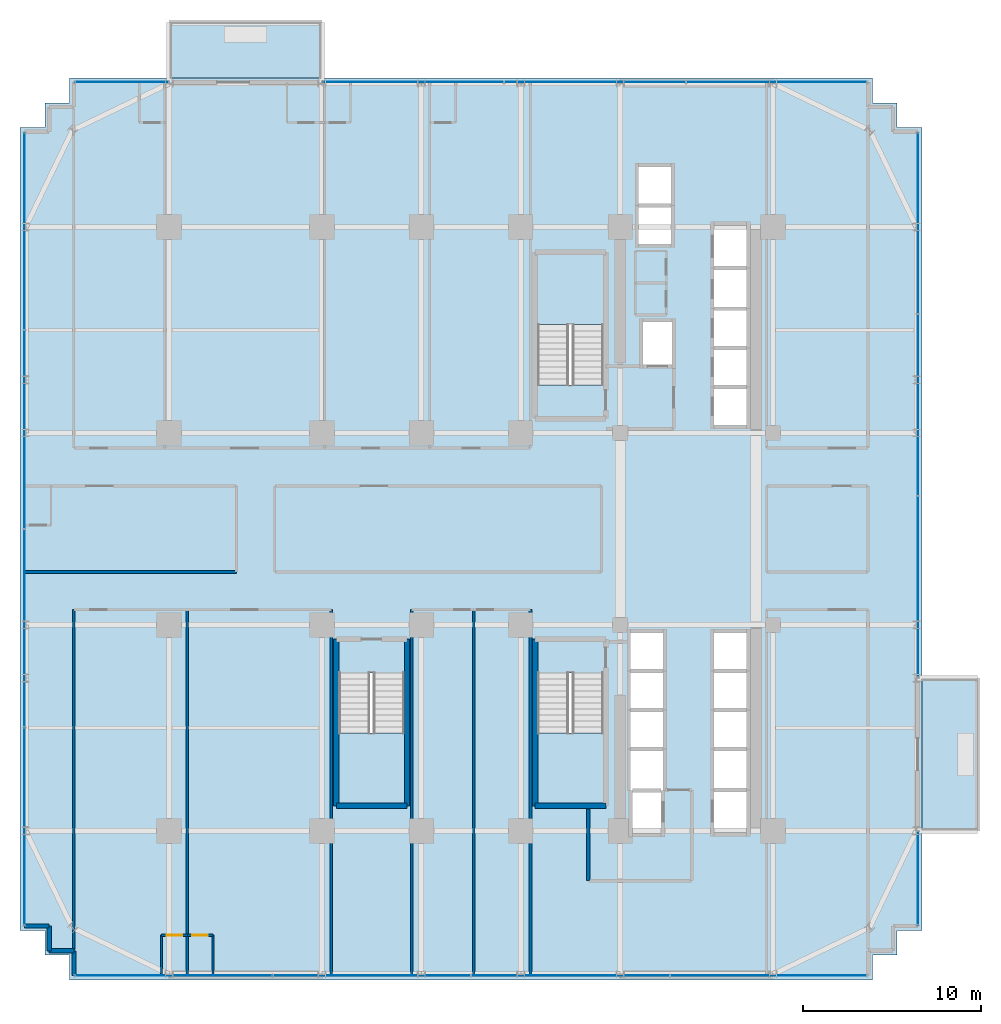
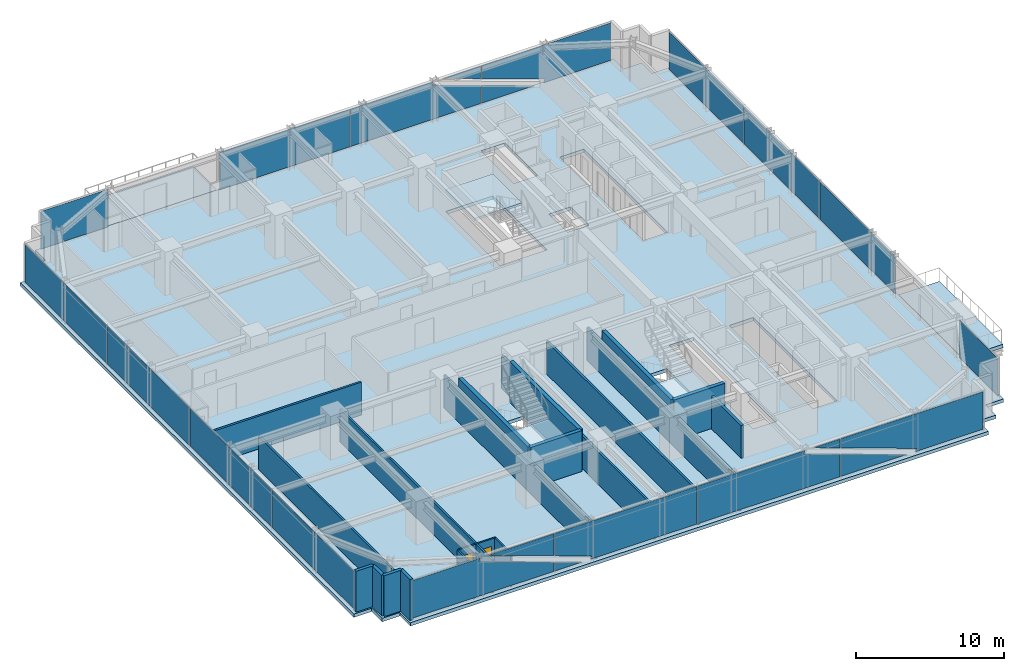
# One storey, part 28 of 35: 21 walls, 16 plates, 6 slabs, 2 doors, 2 openings, 9 elements without a shape of their own.
"""IFC4 building model written with IfcOpenShell, lengths in metres."""

from ifc_helpers import new_model, si_unit, direction, frame, frame_2d, origin, origin_2d, place, context, subcontext, project, spatial, polyline, rectangle, outline, extrude, source, transform, mapped, material, layer, layer_set, type_object, element, fill, aggregate, save


model = new_model("IFC4")

# Units and contexts
model_context = context("Model", 3, precision=1e-05, world=origin(), true_north=direction((0.0, 1.0)))
body_context = subcontext(model_context, "Body", "Model", "MODEL_VIEW")
ifc_project = project(units=[si_unit("LENGTHUNIT", "METRE"), si_unit("AREAUNIT", "SQUARE_METRE"), si_unit("VOLUMEUNIT", "CUBIC_METRE"), si_unit("PLANEANGLEUNIT", "RADIAN"), si_unit("MASSUNIT", "GRAM", prefix="KILO")], contexts=[model_context])

# Site, building, storey
site_placement = place(None, origin())
site = spatial("IfcSite", under=ifc_project, at=site_placement, CompositionType="ELEMENT")
building_placement = place(site_placement, origin())
building = spatial("IfcBuilding", under=site, at=building_placement, Name="Nahalor Promenade Grand Hotel", CompositionType="ELEMENT")
storey_placement = place(building_placement, frame((0.0, 0.0, 39.699951171875)))
storey = spatial("IfcBuildingStorey", under=building, at=storey_placement, Name="L08", CompositionType="ELEMENT", Elevation=39.699951171875)

# Curtain wall, plates
ifc_material_1 = material(Name="Anodised Bronze Aluminium EN AW-6063 T6", Category="aluminium")
curtain_wall_type = type_object("IfcCurtainWallType", Name="CW2 Typical Hotel Flush Bronze Unitised Curtain Wall", PredefinedType="USERDEFINED", material=ifc_material_1)
curtain_wall_1_placement = place(storey_placement, origin())
curtain_wall_1 = element("IfcCurtainWall", 1, at=curtain_wall_1_placement, inside=storey, type_object=curtain_wall_type, Name="L08 Curtain Wall CW-L08-S-1", ObjectType="UNITISED_CURTAIN_WALL", PredefinedType="USERDEFINED")
ifc_material_2 = material(Name="Low-E Laminated Solar Glass", Category="glass")
ifc_layer_1 = layer(ifc_material_2, 0.028076171875)
ifc_layer_set_1 = layer_set([ifc_layer_1], Name="Low-E Laminated Solar Glass")
plate_type = type_object("IfcPlateType", Name="CWP2 Bronze Low-E Vision IGU 28mm", PredefinedType="CURTAIN_PANEL", material=ifc_layer_set_1)
plate_1_placement = place(storey_placement, frame((-16.753662109375, -25.159912109375, 0.1298828125), z_axis=(0.0, 0.0, 1.0), x_axis=(1.0, 0.0, 0.0)))
plate_1 = element("IfcPlate", 2, at=plate_1_placement, type_object=plate_type, Name="CW-L08-S-1 Glazing Panel 0-0", PredefinedType="CURTAIN_PANEL", context=body_context, shape_type="SweptSolid", body=[
    extrude(outline(polyline([(-5.541259765625, 0.0), (5.541259765625, 0.0), (5.541259765625, 0.758544921875), (-0.353759765625, 2.863037109375), (-0.265625, 3.110107421875), (-5.541259765625, 3.110107421875), (-5.541259765625, 0.0)])), frame((0.0, 0.01416015625, 0.0), z_axis=(0.0, -1.0, 0.0), x_axis=(1.0, 0.0, 0.0)), (0.0, 0.0, 1.0), 0.028076171875),
    extrude(outline(polyline([(5.541259765625, 1.28955078125), (5.541259765625, 3.110107421875), (0.44140625, 3.110107421875), (5.541259765625, 1.28955078125)])), frame((0.0, 0.01416015625, 0.0), z_axis=(0.0, -1.0, 0.0), x_axis=(1.0, 0.0, 0.0)), (0.0, 0.0, 1.0), 0.028076171875),
])
plate_2_placement = place(storey_placement, frame((-5.590087890625, -25.159912109375, 0.1298828125), z_axis=(0.0, 0.0, 1.0), x_axis=(1.0, 0.0, 0.0)))
plate_2 = element("IfcPlate", 3, at=plate_2_placement, type_object=plate_type, Name="CW-L08-S-1 Glazing Panel 1-0", PredefinedType="CURTAIN_PANEL", context=body_context, shape_type="SweptSolid", body=[
    extrude(outline(polyline([(5.5576171875, 3.110107421875), (-5.5576171875, 3.110107421875), (-5.5576171875, 1.266357421875), (-2.702392578125, 0.2470703125), (-2.79052734375, 0.0), (5.5576171875, 0.0), (5.5576171875, 3.110107421875)])), frame((0.0, 0.01416015625, 0.0), z_axis=(0.0, -1.0, 0.0), x_axis=(1.0, 0.0, 0.0)), (0.0, 0.0, 1.0), 0.028076171875),
    extrude(outline(polyline([(-5.5576171875, 0.7353515625), (-5.5576171875, 0.0), (-3.49755859375, 0.0), (-5.5576171875, 0.7353515625)])), frame((0.0, 0.01416015625, 0.0), z_axis=(0.0, -1.0, 0.0), x_axis=(1.0, 0.0, 0.0)), (0.0, 0.0, 1.0), 0.028076171875),
])
plate_3_placement = place(storey_placement, frame((5.590087890625, -25.159912109375, 0.1298828125), z_axis=(0.0, 0.0, 1.0), x_axis=(1.0, 0.0, 0.0)))
plate_3 = element("IfcPlate", 4, at=plate_3_placement, type_object=plate_type, Name="CW-L08-S-1 Glazing Panel 2-0", PredefinedType="CURTAIN_PANEL", context=body_context, shape_type="SweptSolid", body=[
    extrude(outline(polyline([(-5.5576171875, 0.0), (5.5576171875, 0.0), (5.5576171875, 1.84375), (2.702392578125, 2.863037109375), (2.79052734375, 3.110107421875), (-5.5576171875, 3.110107421875), (-5.5576171875, 0.0)])), frame((0.0, 0.01416015625, 0.0), z_axis=(0.0, -1.0, 0.0), x_axis=(1.0, 0.0, 0.0)), (0.0, 0.0, 1.0), 0.028076171875),
    extrude(outline(polyline([(5.5576171875, 2.374755859375), (5.5576171875, 3.110107421875), (3.49755859375, 3.110107421875), (5.5576171875, 2.374755859375)])), frame((0.0, 0.01416015625, 0.0), z_axis=(0.0, -1.0, 0.0), x_axis=(1.0, 0.0, 0.0)), (0.0, 0.0, 1.0), 0.028076171875),
])
plate_4_placement = place(storey_placement, frame((16.753662109375, -25.159912109375, 0.1298828125), z_axis=(0.0, 0.0, 1.0), x_axis=(1.0, 0.0, 0.0)))
plate_4 = element("IfcPlate", 5, at=plate_4_placement, type_object=plate_type, Name="CW-L08-S-1 Glazing Panel 3-0", PredefinedType="CURTAIN_PANEL", context=body_context, shape_type="SweptSolid", body=[
    extrude(outline(polyline([(5.541259765625, 3.110107421875), (-5.541259765625, 3.110107421875), (-5.541259765625, 2.3515625), (0.353759765625, 0.2470703125), (0.265625, 0.0), (5.541259765625, 0.0), (5.541259765625, 3.110107421875)])), frame((0.0, 0.01416015625, 0.0), z_axis=(0.0, -1.0, 0.0), x_axis=(1.0, 0.0, 0.0)), (0.0, 0.0, 1.0), 0.028076171875),
    extrude(outline(polyline([(-5.541259765625, 1.820556640625), (-5.541259765625, 0.0), (-0.44140625, 0.0), (-5.541259765625, 1.820556640625)])), frame((0.0, 0.01416015625, 0.0), z_axis=(0.0, -1.0, 0.0), x_axis=(1.0, 0.0, 0.0)), (0.0, 0.0, 1.0), 0.028076171875),
])
aggregate(curtain_wall_1, [plate_1, plate_2, plate_3, plate_4])

curtain_wall_2_placement = place(storey_placement, origin())
curtain_wall_2 = element("IfcCurtainWall", 6, at=curtain_wall_2_placement, inside=storey, type_object=curtain_wall_type, Name="L08 Curtain Wall CW-L08-N-3", ObjectType="UNITISED_CURTAIN_WALL", PredefinedType="USERDEFINED")
plate_5_placement = place(storey_placement, frame((6.97998046875, 25.159912109375, 0.1298828125), z_axis=(0.0, 0.0, 1.0), x_axis=(1.0, 0.0, 0.0)))
plate_5 = element("IfcPlate", 7, at=plate_5_placement, type_object=plate_type, Name="CW-L08-N-3 Glazing Panel 1-0", PredefinedType="CURTAIN_PANEL", context=body_context, shape_type="SweptSolid", body=[
    extrude(outline(polyline([(-5.09423828125, 0.0), (5.09423828125, 0.0), (5.09423828125, 1.512939453125), (1.3125, 2.863037109375), (1.400634765625, 3.110107421875), (-5.09423828125, 3.110107421875), (-5.09423828125, 0.0)])), frame((0.0, 0.01416015625, 0.0), z_axis=(0.0, -1.0, 0.0), x_axis=(1.0, 0.0, 0.0)), (0.0, 0.0, 1.0), 0.028076171875),
    extrude(outline(polyline([(5.09423828125, 2.0439453125), (5.09423828125, 3.110107421875), (2.107666015625, 3.110107421875), (5.09423828125, 2.0439453125)])), frame((0.0, 0.01416015625, 0.0), z_axis=(0.0, -1.0, 0.0), x_axis=(1.0, 0.0, 0.0)), (0.0, 0.0, 1.0), 0.028076171875),
])
plate_6_placement = place(storey_placement, frame((17.217041015625, 25.159912109375, 0.1298828125), z_axis=(0.0, 0.0, 1.0), x_axis=(1.0, 0.0, 0.0)))
plate_6 = element("IfcPlate", 8, at=plate_6_placement, type_object=plate_type, Name="CW-L08-N-3 Glazing Panel 2-0", PredefinedType="CURTAIN_PANEL", context=body_context, shape_type="SweptSolid", body=[
    extrude(outline(polyline([(5.077880859375, 3.110107421875), (-5.077880859375, 3.110107421875), (-5.077880859375, 2.020751953125), (-0.109375, 0.2470703125), (-0.19775390625, 0.0), (5.077880859375, 0.0), (5.077880859375, 3.110107421875)])), frame((0.0, 0.01416015625, 0.0), z_axis=(0.0, -1.0, 0.0), x_axis=(1.0, 0.0, 0.0)), (0.0, 0.0, 1.0), 0.028076171875),
    extrude(outline(polyline([(-5.077880859375, 1.48974609375), (-5.077880859375, 0.0), (-0.90478515625, 0.0), (-5.077880859375, 1.48974609375)])), frame((0.0, 0.01416015625, 0.0), z_axis=(0.0, -1.0, 0.0), x_axis=(1.0, 0.0, 0.0)), (0.0, 0.0, 1.0), 0.028076171875),
])

# Stair, slab
ifc_material_3 = material(Name="Concrete B-50 (C40/50)", Category="concrete")
stair_type_1 = type_object("IfcStairType", Name="Stair-ST1", PredefinedType="HALF_TURN_STAIR", material=ifc_material_3)
stair_1_placement = place(storey_placement, origin())
stair_1 = element("IfcStair", 9, at=stair_1_placement, inside=storey, type_object=stair_type_1, Name="L08 ST1", PredefinedType="HALF_TURN_STAIR")
ifc_layer_2 = layer(ifc_material_3, 0.199951171875)
ifc_layer_set_2 = layer_set([ifc_layer_2], Name="Concrete B-50 (C40/50)")
slab_type_1 = type_object("IfcSlabType", Name="Landing-ST1", PredefinedType="LANDING", material=ifc_layer_set_2)
slab_1_placement = place(storey_placement, frame((0.0, 0.0, 1.625)))
slab_1 = element("IfcSlab", 10, at=slab_1_placement, type_object=slab_type_1, Name="ST1 landing 1", PredefinedType="LANDING", context=body_context, shape_type="SweptSolid", body=[
    extrude(outline(polyline([(7.449951171875, 11.5), (7.449951171875, 15.449951171875), (3.75, 15.449951171875), (3.75, 11.5), (7.449951171875, 11.5)])), origin(), (0.0, 0.0, 1.0), 0.199951171875),
])
aggregate(stair_1, [slab_1])

stair_type_2 = type_object("IfcStairType", Name="Stair-ST2", PredefinedType="HALF_TURN_STAIR", material=ifc_material_3)
stair_2_placement = place(storey_placement, origin())
stair_2 = element("IfcStair", 11, at=stair_2_placement, inside=storey, type_object=stair_type_2, Name="L08 ST2", PredefinedType="HALF_TURN_STAIR")
ifc_layer_3 = layer(ifc_material_3, 0.2099609375)
ifc_layer_set_3 = layer_set([ifc_layer_3], Name="Concrete B-50 (C40/50)")
slab_type_2 = type_object("IfcSlabType", Name="Landing-ST2", PredefinedType="LANDING", material=ifc_layer_set_3)
slab_2_placement = place(storey_placement, frame((0.0, 0.0, 1.614990234375)))
slab_2 = element("IfcSlab", 12, at=slab_2_placement, type_object=slab_type_2, Name="ST2 landing 1", PredefinedType="LANDING", context=body_context, shape_type="SweptSolid", body=[
    extrude(outline(polyline([(3.75, -11.5), (3.75, -15.449951171875), (7.449951171875, -15.449951171875), (7.449951171875, -11.5), (3.75, -11.5)])), origin(), (0.0, 0.0, 1.0), 0.2099609375),
])
aggregate(stair_2, [slab_2])

stair_type_3 = type_object("IfcStairType", Name="Stair-ST3", PredefinedType="HALF_TURN_STAIR", material=ifc_material_3)
stair_3_placement = place(storey_placement, origin())
stair_3 = element("IfcStair", 13, at=stair_3_placement, inside=storey, type_object=stair_type_3, Name="L08 ST3", PredefinedType="HALF_TURN_STAIR")
ifc_layer_4 = layer(ifc_material_3, 0.219970703125)
ifc_layer_set_4 = layer_set([ifc_layer_4], Name="Concrete B-50 (C40/50)")
slab_type_3 = type_object("IfcSlabType", Name="Landing-ST3", PredefinedType="LANDING", material=ifc_layer_set_4)
slab_3_placement = place(storey_placement, frame((0.0, 0.0, 1.60498046875)))
slab_3 = element("IfcSlab", 14, at=slab_3_placement, type_object=slab_type_3, Name="ST3 landing 1", PredefinedType="LANDING", context=body_context, shape_type="SweptSolid", body=[
    extrude(outline(polyline([(-7.449951171875, -11.5), (-7.449951171875, -15.449951171875), (-3.75, -15.449951171875), (-3.75, -11.5), (-7.449951171875, -11.5)])), origin(), (0.0, 0.0, 1.0), 0.219970703125),
])
aggregate(stair_3, [slab_3])

# Slabs
ifc_layer_5 = layer(ifc_material_3, 0.280029296875)
ifc_layer_set_5 = layer_set([ifc_layer_5], Name="Concrete B-50 (C40/50)")
slab_type_4 = type_object("IfcSlabType", Name="Slab-Balcony-280", PredefinedType="FLOOR", material=ifc_layer_set_5)
slab_4_placement = place(storey_placement, frame((0.0, 0.0, -0.280029296875)))
element("IfcSlab", 15, at=slab_4_placement, inside=storey, type_object=slab_type_4, Name="L08 Cantilevered Planted Balcony 1", PredefinedType="FLOOR", context=body_context, shape_type="SweptSolid", body=[
    extrude(outline(polyline([(-17.0, 25.39990234375), (-8.39990234375, 25.39990234375), (-8.39990234375, 28.590087890625), (-17.0, 28.590087890625), (-17.0, 25.39990234375)])), origin(), (0.0, 0.0, 1.0), 0.280029296875),
])
slab_5_placement = place(storey_placement, frame((0.0, 0.0, -0.280029296875)))
element("IfcSlab", 16, at=slab_5_placement, inside=storey, type_object=slab_type_4, Name="L08 Cantilevered Planted Balcony 2", PredefinedType="FLOOR", context=body_context, shape_type="SweptSolid", body=[
    extrude(outline(polyline([(25.39990234375, -17.0), (28.60009765625, -17.0), (28.60009765625, -8.39990234375), (25.39990234375, -8.39990234375), (25.39990234375, -17.0)])), origin(), (0.0, 0.0, 1.0), 0.280029296875),
])
ifc_layer_6 = layer(ifc_material_3, 0.280029296875)
ifc_layer_set_6 = layer_set([ifc_layer_6], Name="Concrete B-50 (C40/50)")
slab_type_5 = type_object("IfcSlabType", Name="Slab-TowerZ1-280", PredefinedType="FLOOR", material=ifc_layer_set_6)
slab_6_placement = place(storey_placement, frame((0.0, 0.0, -0.280029296875)))
element("IfcSlab", 17, at=slab_6_placement, inside=storey, type_object=slab_type_5, Name="L08 Suspended Structural Floor Slab", PredefinedType="FLOOR", context=body_context, shape_type="SweptSolid", body=[
    extrude(outline(polyline([(-22.60009765625, -25.39990234375), (22.60009765625, -25.39990234375), (22.60009765625, -24.0), (24.0, -24.0), (24.0, -22.60009765625), (25.39990234375, -22.60009765625), (25.39990234375, 22.60009765625), (24.0, 22.60009765625), (24.0, 24.0), (22.60009765625, 24.0), (22.60009765625, 25.39990234375), (-22.60009765625, 25.39990234375), (-22.60009765625, 24.0), (-24.0, 24.0), (-24.0, 22.60009765625), (-25.39990234375, 22.60009765625), (-25.39990234375, -22.60009765625), (-24.0, -22.60009765625), (-24.0, -24.0), (-22.60009765625, -24.0), (-22.60009765625, -25.39990234375)]), holes=[polyline([(3.75, 8.10009765625), (7.449951171875, 8.10009765625), (7.449951171875, 15.449951171875), (3.75, 15.449951171875), (3.75, 8.10009765625)]), polyline([(3.75, -15.449951171875), (7.449951171875, -15.449951171875), (7.449951171875, -8.10009765625), (3.75, -8.10009765625), (3.75, -15.449951171875)]), polyline([(-7.449951171875, -15.449951171875), (-3.75, -15.449951171875), (-3.75, -8.10009765625), (-7.449951171875, -8.10009765625), (-7.449951171875, -15.449951171875)]), polyline([(13.659912109375, 5.81005859375), (15.5400390625, 5.81005859375), (15.5400390625, 17.139892578125), (13.659912109375, 17.139892578125), (13.659912109375, 5.81005859375)]), polyline([(13.659912109375, -17.139892578125), (15.5400390625, -17.139892578125), (15.5400390625, -5.81005859375), (13.659912109375, -5.81005859375), (13.659912109375, -17.139892578125)]), polyline([(8.9599609375, -17.18994140625), (10.840087890625, -17.18994140625), (10.840087890625, -5.81005859375), (8.9599609375, -5.81005859375), (8.9599609375, -17.18994140625)]), polyline([(9.409912109375, 16.010009765625), (11.2900390625, 16.010009765625), (11.2900390625, 20.43994140625), (9.409912109375, 20.43994140625), (9.409912109375, 16.010009765625)]), polyline([(9.659912109375, 9.2099609375), (11.340087890625, 9.2099609375), (11.340087890625, 11.68994140625), (9.659912109375, 11.68994140625), (9.659912109375, 9.2099609375)])]), origin(), (0.0, 0.0, 1.0), 0.280029296875),
])

# Curtain wall, plate
curtain_wall_3_placement = place(storey_placement, origin())
curtain_wall_3 = element("IfcCurtainWall", 18, at=curtain_wall_3_placement, inside=storey, type_object=curtain_wall_type, Name="L08 Curtain Wall CW-L08-N-1", ObjectType="UNITISED_CURTAIN_WALL", PredefinedType="USERDEFINED")
shared_shape_1 = source(origin(), body_context, "Body", "SweptSolid", [
    extrude(rectangle(XDim=5.22998046875, YDim=0.028076171875, at=origin_2d()), origin(), (0.0, 0.0, 1.0), 3.110107421875),
])
plate_7_placement = place(storey_placement, frame((-19.679931640625, 25.159912109375, 0.1298828125), z_axis=(0.0, 0.0, 1.0), x_axis=(1.0, 0.0, 0.0)))
plate_7 = element("IfcPlate", 19, at=plate_7_placement, type_object=plate_type, Name="CW-L08-N-1 Glazing Panel 0-0", PredefinedType="CURTAIN_PANEL", context=body_context, shape_type="MappedRepresentation", body=[
    mapped(shared_shape_1, transform((0.0, 0.0, 0.0), scale=1.0)),
])
aggregate(curtain_wall_3, [plate_7])

curtain_wall_4_placement = place(storey_placement, origin())
curtain_wall_4 = element("IfcCurtainWall", 20, at=curtain_wall_4_placement, inside=storey, type_object=curtain_wall_type, Name="L08 Curtain Wall CW-L08-E-1", ObjectType="UNITISED_CURTAIN_WALL", PredefinedType="USERDEFINED")
plate_8_placement = place(storey_placement, frame((25.159912109375, -19.679931640625, 0.1298828125), z_axis=(0.0, 0.0, 1.0), x_axis=(0.0, 1.0, 0.0)))
plate_8 = element("IfcPlate", 21, at=plate_8_placement, type_object=plate_type, Name="CW-L08-E-1 Glazing Panel 0-0", PredefinedType="CURTAIN_PANEL", context=body_context, shape_type="MappedRepresentation", body=[
    mapped(shared_shape_1, transform((0.0, 0.0, 0.0), scale=1.0)),
])
aggregate(curtain_wall_4, [plate_8])

# Plate
shared_shape_2 = source(origin(), body_context, "Body", "SweptSolid", [
    extrude(rectangle(XDim=10.15576171875, YDim=0.028076171875, at=origin_2d()), origin(), (0.0, 0.0, 1.0), 3.110107421875),
])
plate_9_placement = place(storey_placement, frame((-3.257080078125, 25.159912109375, 0.1298828125), z_axis=(0.0, 0.0, 1.0), x_axis=(1.0, 0.0, 0.0)))
plate_9 = element("IfcPlate", 22, at=plate_9_placement, type_object=plate_type, Name="CW-L08-N-3 Glazing Panel 0-0", PredefinedType="CURTAIN_PANEL", context=body_context, shape_type="MappedRepresentation", body=[
    mapped(shared_shape_2, transform((0.0, 0.0, 0.0), scale=1.0)),
])

aggregate(curtain_wall_2, [plate_9, plate_5, plate_6])

# Curtain wall, plates
curtain_wall_5_placement = place(storey_placement, origin())
curtain_wall_5 = element("IfcCurtainWall", 23, at=curtain_wall_5_placement, inside=storey, type_object=curtain_wall_type, Name="L08 Curtain Wall CW-L08-E-3", ObjectType="UNITISED_CURTAIN_WALL", PredefinedType="USERDEFINED")
plate_10_placement = place(storey_placement, frame((25.159912109375, -3.257080078125, 0.1298828125), z_axis=(0.0, 0.0, 1.0), x_axis=(0.0, 1.0, 0.0)))
plate_10 = element("IfcPlate", 24, at=plate_10_placement, type_object=plate_type, Name="CW-L08-E-3 Glazing Panel 0-0", PredefinedType="CURTAIN_PANEL", context=body_context, shape_type="MappedRepresentation", body=[
    mapped(shared_shape_2, transform((0.0, 0.0, 0.0), scale=1.0)),
])
plate_11_placement = place(storey_placement, frame((25.159912109375, 17.217041015625, 0.1298828125), z_axis=(0.0, 0.0, 1.0), x_axis=(0.0, 1.0, 0.0)))
plate_11 = element("IfcPlate", 25, at=plate_11_placement, type_object=plate_type, Name="CW-L08-E-3 Glazing Panel 2-0", PredefinedType="CURTAIN_PANEL", context=body_context, shape_type="MappedRepresentation", body=[
    mapped(shared_shape_2, transform((0.0, 0.0, 0.0), scale=1.0)),
])
shared_shape_3 = source(origin(), body_context, "Body", "SweptSolid", [
    extrude(rectangle(XDim=10.188232421875, YDim=0.028076171875, at=origin_2d()), origin(), (0.0, 0.0, 1.0), 3.110107421875),
])
plate_12_placement = place(storey_placement, frame((25.159912109375, 6.97998046875, 0.1298828125), z_axis=(0.0, 0.0, 1.0), x_axis=(0.0, 1.0, 0.0)))
plate_12 = element("IfcPlate", 26, at=plate_12_placement, type_object=plate_type, Name="CW-L08-E-3 Glazing Panel 1-0", PredefinedType="CURTAIN_PANEL", context=body_context, shape_type="MappedRepresentation", body=[
    mapped(shared_shape_3, transform((0.0, 0.0, 0.0), scale=1.0)),
])
aggregate(curtain_wall_5, [plate_10, plate_12, plate_11])

curtain_wall_6_placement = place(storey_placement, origin())
curtain_wall_6 = element("IfcCurtainWall", 27, at=curtain_wall_6_placement, inside=storey, type_object=curtain_wall_type, Name="L08 Curtain Wall CW-L08-W-1", ObjectType="UNITISED_CURTAIN_WALL", PredefinedType="USERDEFINED")
shared_shape_4 = source(origin(), body_context, "Body", "SweptSolid", [
    extrude(rectangle(XDim=11.08251953125, YDim=0.028076171875, at=origin_2d()), origin(), (0.0, 0.0, 1.0), 3.110107421875),
])
plate_13_placement = place(storey_placement, frame((-25.159912109375, -16.753662109375, 0.1298828125), z_axis=(0.0, 0.0, 1.0), x_axis=(0.0, 1.0, 0.0)))
plate_13 = element("IfcPlate", 28, at=plate_13_placement, type_object=plate_type, Name="CW-L08-W-1 Glazing Panel 0-0", PredefinedType="CURTAIN_PANEL", context=body_context, shape_type="MappedRepresentation", body=[
    mapped(shared_shape_4, transform((0.0, 0.0, 0.0), scale=1.0)),
])
plate_14_placement = place(storey_placement, frame((-25.159912109375, 16.753662109375, 0.1298828125), z_axis=(0.0, 0.0, 1.0), x_axis=(0.0, 1.0, 0.0)))
plate_14 = element("IfcPlate", 29, at=plate_14_placement, type_object=plate_type, Name="CW-L08-W-1 Glazing Panel 3-0", PredefinedType="CURTAIN_PANEL", context=body_context, shape_type="MappedRepresentation", body=[
    mapped(shared_shape_4, transform((0.0, 0.0, 0.0), scale=1.0)),
])
shared_shape_5 = source(origin(), body_context, "Body", "SweptSolid", [
    extrude(rectangle(XDim=11.114990234375, YDim=0.028076171875, at=origin_2d()), origin(), (0.0, 0.0, 1.0), 3.110107421875),
])
plate_15_placement = place(storey_placement, frame((-25.159912109375, -5.590087890625, 0.1298828125), z_axis=(0.0, 0.0, 1.0), x_axis=(0.0, 1.0, 0.0)))
plate_15 = element("IfcPlate", 30, at=plate_15_placement, type_object=plate_type, Name="CW-L08-W-1 Glazing Panel 1-0", PredefinedType="CURTAIN_PANEL", context=body_context, shape_type="MappedRepresentation", body=[
    mapped(shared_shape_5, transform((0.0, 0.0, 0.0), scale=1.0)),
])
plate_16_placement = place(storey_placement, frame((-25.159912109375, 5.590087890625, 0.1298828125), z_axis=(0.0, 0.0, 1.0), x_axis=(0.0, 1.0, 0.0)))
plate_16 = element("IfcPlate", 31, at=plate_16_placement, type_object=plate_type, Name="CW-L08-W-1 Glazing Panel 2-0", PredefinedType="CURTAIN_PANEL", context=body_context, shape_type="MappedRepresentation", body=[
    mapped(shared_shape_5, transform((0.0, 0.0, 0.0), scale=1.0)),
])
aggregate(curtain_wall_6, [plate_13, plate_15, plate_16, plate_14])

# Walls
ifc_layer_7 = layer(ifc_material_3, 0.300048828125)
ifc_layer_set_7 = layer_set([ifc_layer_7], Name="Concrete B-50 (C40/50)")
wall_type_1 = type_object("IfcWallType", Name="Wall-ShaftShear-300", PredefinedType="SHEAR", material=ifc_layer_set_7)
shared_shape_6 = source(origin(), body_context, "Body", "SweptSolid", [
    extrude(rectangle(XDim=3.97998046875, YDim=0.300048828125, at=frame_2d((1.989990234375, 0.0))), origin(), (0.0, 0.0, 1.0), 3.3701171875),
])
for number, where, z_axis, x_axis, name in (
    (32, (3.610107421875, -15.590087890625, 0.0), (0.0, 0.0, 1.0), (1.0, 0.0, 0.0), "L08 Exit Stair ST2 Shaft Wall S"),
    (33, (-7.590087890625, -15.590087890625, 0.0), (0.0, 0.0, 1.0), (1.0, 0.0, 0.0), "L08 Exit Stair ST3 Shaft Wall S"),
):
    element("IfcWall", number, at=place(storey_placement, frame(where, z_axis=z_axis, x_axis=x_axis)), inside=storey, type_object=wall_type_1, Name=name, PredefinedType="SHEAR", context=body_context, shape_type="MappedRepresentation", body=[
        mapped(shared_shape_6, transform((0.0, 0.0, 0.0), scale=1.0)),
    ])
shared_shape_7 = source(origin(), body_context, "Body", "SweptSolid", [
    extrude(rectangle(XDim=9.380126953125, YDim=0.300048828125, at=frame_2d((4.68994140625, 0.0))), origin(), (0.0, 0.0, 1.0), 3.3701171875),
])
for number, where, z_axis, x_axis, name in (
    (34, (3.610107421875, -15.590087890625, 0.0), (0.0, 0.0, 1.0), (0.0, 1.0, 0.0), "L08 Exit Stair ST2 Shaft Wall W"),
    (35, (-7.590087890625, -15.590087890625, 0.0), (0.0, 0.0, 1.0), (0.0, 1.0, 0.0), "L08 Exit Stair ST3 Shaft Wall W"),
    (36, (-3.610107421875, -15.590087890625, 0.0), (0.0, 0.0, 1.0), (0.0, 1.0, 0.0), "L08 Exit Stair ST3 Shaft Wall E"),
):
    element("IfcWall", number, at=place(storey_placement, frame(where, z_axis=z_axis, x_axis=x_axis)), inside=storey, type_object=wall_type_1, Name=name, PredefinedType="SHEAR", context=body_context, shape_type="MappedRepresentation", body=[
        mapped(shared_shape_7, transform((0.0, 0.0, 0.0), scale=1.0)),
    ])
ifc_material_4 = material(Name="Concrete B-40 (C32/40)", Category="concrete")
ifc_layer_8 = layer(ifc_material_4, 0.25)
ifc_layer_set_8 = layer_set([ifc_layer_8], Name="Concrete B-40 (C32/40)")
wall_type_2 = type_object("IfcWallType", Name="Wall-BronzePier-250", PredefinedType="STANDARD", material=ifc_layer_set_8)
shared_shape_8 = source(origin(), body_context, "Body", "SweptSolid", [
    extrude(rectangle(XDim=1.39990234375, YDim=0.25, at=frame_2d((0.699951171875, 0.0))), origin(), (0.0, 0.0, 1.0), 3.3701171875),
])
for number, where, z_axis, x_axis, name in (
    (37, (-25.159912109375, -22.360107421875, 0.0), (0.0, 0.0, 1.0), (1.0, 0.0, 0.0), "W-L08-SR-13"),
    (38, (-23.760009765625, -23.760009765625, 0.0), (0.0, 0.0, 1.0), (0.0, 1.0, 0.0), "W-L08-SR-14"),
    (39, (-23.760009765625, -23.760009765625, 0.0), (0.0, 0.0, 1.0), (1.0, 0.0, 0.0), "W-L08-SR-15"),
    (40, (-22.360107421875, -25.159912109375, 0.0), (0.0, 0.0, 1.0), (0.0, 1.0, 0.0), "W-L08-SR-16"),
):
    element("IfcWall", number, at=place(storey_placement, frame(where, z_axis=z_axis, x_axis=x_axis)), inside=storey, type_object=wall_type_2, Name=name, PredefinedType="STANDARD", context=body_context, shape_type="MappedRepresentation", body=[
        mapped(shared_shape_8, transform((0.0, 0.0, 0.0), scale=1.0)),
    ])
ifc_layer_9 = layer(ifc_material_4, 0.199951171875)
ifc_layer_set_9 = layer_set([ifc_layer_9], Name="Concrete B-40 (C32/40)")
wall_type_3 = type_object("IfcWallType", Name="Wall-PartFire-200", PredefinedType="PARTITIONING", material=ifc_layer_set_9)
shared_shape_9 = source(origin(), body_context, "Body", "SweptSolid", [
    extrude(rectangle(XDim=4.030029296875, YDim=0.199951171875, at=frame_2d((2.01513671875, 0.0))), origin(), (0.0, 0.0, 1.0), 2.7099609375),
])
wall_1_placement = place(storey_placement, frame((6.60009765625, -19.800048828125, 0.0), z_axis=(0.0, 0.0, 1.0), x_axis=(0.0, 1.0, 0.0)))
element("IfcWall", 41, at=wall_1_placement, inside=storey, type_object=wall_type_3, Name="W-L08-FF2-W1", PredefinedType="PARTITIONING", context=body_context, shape_type="MappedRepresentation", body=[
    mapped(shared_shape_9, transform((0.0, 0.0, 0.0), scale=1.0)),
])
ifc_material_5 = material(Name="Acoustic Mineral Gypsum", Category="gypsum")
ifc_layer_10 = layer(ifc_material_5, 0.159912109375)
ifc_layer_set_10 = layer_set([ifc_layer_10], Name="Acoustic Mineral Gypsum")
wall_type_4 = type_object("IfcWallType", Name="Wall-PartCorridor-160", PredefinedType="PARTITIONING", material=ifc_layer_set_10)
shared_shape_10 = source(origin(), body_context, "Body", "SweptSolid", [
    extrude(rectangle(XDim=20.550048828125, YDim=0.159912109375, at=frame_2d((10.27490234375, 0.0))), origin(), (0.0, 0.0, 1.0), 2.7099609375),
])
for number, where, z_axis, x_axis, name in (
    (42, (-3.340087890625, -25.10009765625, 0.0), (0.0, 0.0, 1.0), (0.0, 1.0, 0.0), "W-L08-SCB1-W"),
    (43, (0.14990234375, -25.10009765625, 0.0), (0.0, 0.0, 1.0), (0.0, 1.0, 0.0), "W-L08-SCB1-E"),
    (44, (3.340087890625, -25.10009765625, 0.0), (0.0, 0.0, 1.0), (0.0, 1.0, 0.0), "W-L08-SCB2-E"),
):
    element("IfcWall", number, at=place(storey_placement, frame(where, z_axis=z_axis, x_axis=x_axis)), inside=storey, type_object=wall_type_4, Name=name, PredefinedType="PARTITIONING", context=body_context, shape_type="MappedRepresentation", body=[
        mapped(shared_shape_10, transform((0.0, 0.0, 0.0), scale=1.0)),
    ])
ifc_layer_11 = layer(ifc_material_5, 0.139892578125)
ifc_layer_set_11 = layer_set([ifc_layer_11], Name="Acoustic Mineral Gypsum")
wall_type_5 = type_object("IfcWallType", Name="Wall-PartSuite-140", PredefinedType="PARTITIONING", material=ifc_layer_set_11)
shared_shape_11 = source(origin(), body_context, "Body", "SweptSolid", [
    extrude(rectangle(XDim=19.1298828125, YDim=0.139892578125, at=frame_2d((9.56494140625, 0.0))), origin(), (0.0, 0.0, 1.0), 2.7099609375),
])
wall_2_placement = place(storey_placement, frame((-22.360107421875, -23.679931640625, 0.0), z_axis=(0.0, 0.0, 1.0), x_axis=(0.0, 1.0, 0.0)))
element("IfcWall", 45, at=wall_2_placement, inside=storey, type_object=wall_type_5, Name="W-L08-SW-ENDW", PredefinedType="PARTITIONING", context=body_context, shape_type="MappedRepresentation", body=[
    mapped(shared_shape_11, transform((0.0, 0.0, 0.0), scale=1.0)),
])
shared_shape_12 = source(origin(), body_context, "Body", "SweptSolid", [
    extrude(rectangle(XDim=20.550048828125, YDim=0.139892578125, at=frame_2d((10.27490234375, 0.0))), origin(), (0.0, 0.0, 1.0), 2.7099609375),
])
for number, where, z_axis, x_axis, name in (
    (46, (-7.860107421875, -25.10009765625, 0.0), (0.0, 0.0, 1.0), (0.0, 1.0, 0.0), "W-L08-SW-ENDE"),
    (47, (-15.97998046875, -25.10009765625, 0.0), (0.0, 0.0, 1.0), (0.0, 1.0, 0.0), "W-L08-SP-1"),
):
    element("IfcWall", number, at=place(storey_placement, frame(where, z_axis=z_axis, x_axis=x_axis)), inside=storey, type_object=wall_type_5, Name=name, PredefinedType="PARTITIONING", context=body_context, shape_type="MappedRepresentation", body=[
        mapped(shared_shape_12, transform((0.0, 0.0, 0.0), scale=1.0)),
    ])
ifc_layer_12 = layer(ifc_material_5, 0.1201171875)
ifc_layer_set_12 = layer_set([ifc_layer_12], Name="Acoustic Mineral Gypsum")
wall_type_6 = type_object("IfcWallType", Name="Wall-PartBath-120", PredefinedType="PARTITIONING", material=ifc_layer_set_12)
shared_shape_13 = source(origin(), body_context, "Body", "SweptSolid", [
    extrude(rectangle(XDim=2.22021484375, YDim=0.1201171875, at=frame_2d((1.110107421875, 0.0))), origin(), (0.0, 0.0, 1.0), 2.7099609375),
])
for number, where, z_axis, x_axis, name in (
    (48, (-17.429931640625, -25.10009765625, 0.0), (0.0, 0.0, 1.0), (0.0, 1.0, 0.0), "W-L08-S1-BV"),
    (49, (-14.530029296875, -25.10009765625, 0.0), (0.0, 0.0, 1.0), (0.0, 1.0, 0.0), "W-L08-S2-BV"),
):
    element("IfcWall", number, at=place(storey_placement, frame(where, z_axis=z_axis, x_axis=x_axis)), inside=storey, type_object=wall_type_6, Name=name, PredefinedType="PARTITIONING", context=body_context, shape_type="MappedRepresentation", body=[
        mapped(shared_shape_13, transform((0.0, 0.0, 0.0), scale=1.0)),
    ])

# Wall, opening, door
shared_shape_14 = source(origin(), body_context, "Body", "SweptSolid", [
    extrude(rectangle(XDim=1.449951171875, YDim=0.1201171875, at=frame_2d((0.72509765625, 0.0))), origin(), (0.0, 0.0, 1.0), 2.7099609375),
])
wall_3_placement = place(storey_placement, frame((-17.429931640625, -22.8798828125, 0.0), z_axis=(0.0, 0.0, 1.0), x_axis=(1.0, 0.0, 0.0)))
wall_3 = element("IfcWall", 50, at=wall_3_placement, inside=storey, type_object=wall_type_6, Name="W-L08-S1-BH", PredefinedType="PARTITIONING", context=body_context, shape_type="MappedRepresentation", body=[
    mapped(shared_shape_14, transform((0.0, 0.0, 0.0), scale=1.0)),
])
opening_1_placement = place(wall_3_placement, frame((0.284912109375, 0.0, 0.0)))
opening_1 = element("IfcOpeningElement", 51, at=opening_1_placement, cuts=wall_3, Name="Opening D-03", PredefinedType="OPENING", context=body_context, shape_type="SweptSolid", body=[
    extrude(rectangle(XDim=0.8798828125, YDim=2.10009765625, at=frame_2d((0.43994140625, 1.050048828125))), frame((0.0, 0.070068359375, 0.0), z_axis=(0.0, -1.0, 0.0), x_axis=(1.0, 0.0, 0.0)), (0.0, 0.0, 1.0), 0.14013671875),
])
ifc_material_6 = material(Name="Fire-Rated Timber Composite", Category="wood")
door_type = type_object("IfcDoorType", Name="Door-BathSwing-880", OperationType="NOTDEFINED", PredefinedType="DOOR", material=ifc_material_6)
shared_shape_15 = source(origin(), body_context, "Body", "SweptSolid", [
    extrude(rectangle(XDim=0.8798828125, YDim=2.10009765625, at=frame_2d((0.43994140625, 1.050048828125))), frame((0.0, 0.02490234375, 0.0), z_axis=(0.0, -1.0, 0.0), x_axis=(1.0, 0.0, 0.0)), (0.0, 0.0, 1.0), 0.050048828125),
])
door_1_placement = place(opening_1_placement, frame((0.8798828125, 0.0, 0.0), z_axis=(0.0, 0.0, 1.0), x_axis=(-1.0, 0.0, 0.0)))
door_1 = element("IfcDoor", 52, at=door_1_placement, inside=storey, type_object=door_type, Name="DR-L08-S1-BATH", OperationType="SINGLE_SWING_LEFT", OverallHeight=2.10009765625, OverallWidth=0.8798828125, PredefinedType="DOOR", context=body_context, shape_type="MappedRepresentation", body=[
    mapped(shared_shape_15, transform((0.0, 0.0, 0.0), scale=1.0)),
])
fill(opening_1, door_1)

wall_4_placement = place(storey_placement, frame((-15.97998046875, -22.8798828125, 0.0), z_axis=(0.0, 0.0, 1.0), x_axis=(1.0, 0.0, 0.0)))
wall_4 = element("IfcWall", 53, at=wall_4_placement, inside=storey, type_object=wall_type_6, Name="W-L08-S2-BH", PredefinedType="PARTITIONING", context=body_context, shape_type="MappedRepresentation", body=[
    mapped(shared_shape_14, transform((0.0, 0.0, 0.0), scale=1.0)),
])
opening_2_placement = place(wall_4_placement, frame((0.284912109375, 0.0, 0.0)))
opening_2 = element("IfcOpeningElement", 54, at=opening_2_placement, cuts=wall_4, Name="Opening D-03", PredefinedType="OPENING", context=body_context, shape_type="SweptSolid", body=[
    extrude(rectangle(XDim=0.8798828125, YDim=2.10009765625, at=frame_2d((0.43994140625, 1.050048828125))), frame((0.0, 0.070068359375, 0.0), z_axis=(0.0, -1.0, 0.0), x_axis=(1.0, 0.0, 0.0)), (0.0, 0.0, 1.0), 0.14013671875),
])
door_2_placement = place(opening_2_placement, frame((0.8798828125, 0.0, 0.0), z_axis=(0.0, 0.0, 1.0), x_axis=(-1.0, 0.0, 0.0)))
door_2 = element("IfcDoor", 55, at=door_2_placement, inside=storey, type_object=door_type, Name="DR-L08-S2-BATH", OperationType="SINGLE_SWING_LEFT", OverallHeight=2.10009765625, OverallWidth=0.8798828125, PredefinedType="DOOR", context=body_context, shape_type="MappedRepresentation", body=[
    mapped(shared_shape_15, transform((0.0, 0.0, 0.0), scale=1.0)),
])
fill(opening_2, door_2)

# Wall
shared_shape_16 = source(origin(), body_context, "Body", "SweptSolid", [
    extrude(rectangle(XDim=11.900146484375, YDim=0.159912109375, at=frame_2d((5.9501953125, 0.0))), origin(), (0.0, 0.0, 1.0), 2.7099609375),
])
wall_5_placement = place(storey_placement, frame((-25.10009765625, -2.419921875, 0.0), z_axis=(0.0, 0.0, 1.0), x_axis=(1.0, 0.0, 0.0)))
element("IfcWall", 56, at=wall_5_placement, inside=storey, type_object=wall_type_4, Name="W-L08-WEST-S", PredefinedType="PARTITIONING", context=body_context, shape_type="MappedRepresentation", body=[
    mapped(shared_shape_16, transform((0.0, 0.0, 0.0), scale=1.0)),
])

save(model, "model.ifc")
